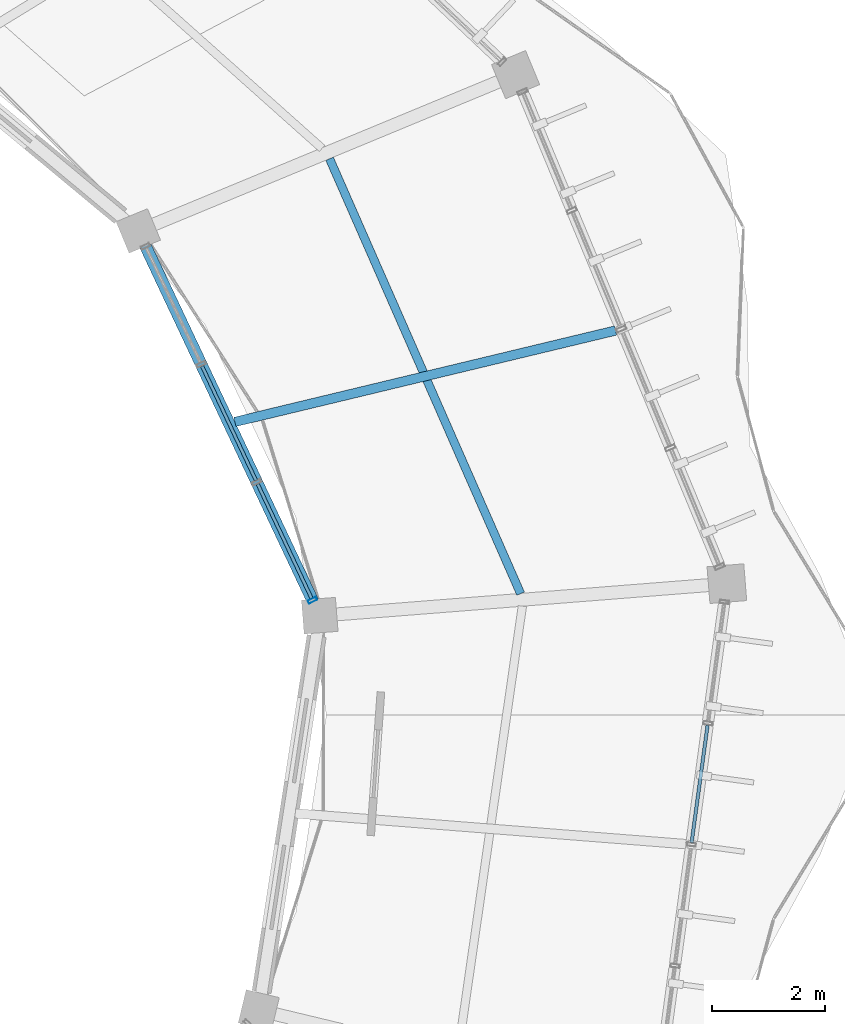
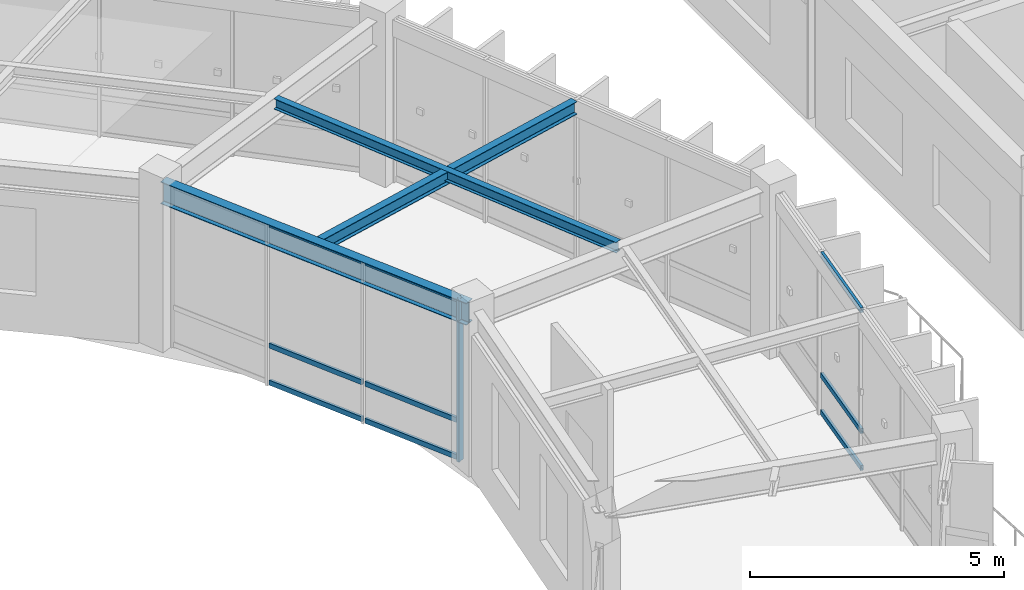
# One storey, part 77 of 114: 10 members, 3 beams, 2 elements without a shape of their own.
"""IFC4 building model written with IfcOpenShell, lengths in metres."""

from ifc_helpers import new_model, si_unit, direction, frame, origin, origin_2d, place, context, subcontext, project, spatial, hollow_rectangle, i_section, extrude, material, material_profile, profile_set, type_object, element, aggregate, save


model = new_model("IFC4")

# Units and contexts
model_context = context("Model", 3, precision=1e-05, world=origin(), true_north=direction((0.0, 1.0)))
body_context = subcontext(model_context, "Body", "Model", "MODEL_VIEW")
ifc_project = project(units=[si_unit("LENGTHUNIT", "METRE"), si_unit("AREAUNIT", "SQUARE_METRE"), si_unit("VOLUMEUNIT", "CUBIC_METRE"), si_unit("PLANEANGLEUNIT", "RADIAN"), si_unit("MASSUNIT", "GRAM", prefix="KILO"), si_unit("THERMODYNAMICTEMPERATUREUNIT", "KELVIN"), si_unit("POWERUNIT", "WATT")], contexts=[model_context])

# Site, building, storey
site_placement = place(None, origin())
site = spatial("IfcSite", under=ifc_project, at=site_placement, CompositionType="ELEMENT")
building_placement = place(site_placement, origin())
building = spatial("IfcBuilding", under=site, at=building_placement, Name="Darbajah Civic Hall", CompositionType="ELEMENT")
storey_placement = place(building_placement, frame((0.0, 0.0, 13.800048828125)))
storey = spatial("IfcBuildingStorey", under=building, at=storey_placement, Name="L03", CompositionType="ELEMENT", Elevation=13.800048828125)

# Curtain wall, members
ifc_material_1 = material(Name="Anodised Bronze Aluminium and Low-E Glazing", Category="aluminium")
curtain_wall_type_1 = type_object("IfcCurtainWallType", Name="Unitised Curtain Wall CW-55 6900x3900", PredefinedType="USERDEFINED", material=ifc_material_1)
curtain_wall_1_placement = place(storey_placement, origin())
curtain_wall_1 = element("IfcCurtainWall", 1, at=curtain_wall_1_placement, inside=storey, type_object=curtain_wall_type_1, Name="L03 unitised curtain wall CW-V1I-L03-00", ObjectType="UNITISED CURTAIN WALL", PredefinedType="USERDEFINED")
ifc_material_2 = material(Name="Anodised Bronze Aluminium", Category="aluminium")
ifc_material_profile_1 = material_profile(ifc_material_2, hollow_rectangle(XDim=0.06005859375, YDim=0.159912109375, WallThickness=0.00341796875, at=origin_2d()), Name="ALU MULLION 60x160")
ifc_profile_set_1 = profile_set([ifc_material_profile_1], Name="Anodised Bronze Aluminium")
member_type_1 = type_object("IfcMemberType", Name="ALU MULLION 60x160", PredefinedType="MULLION", material=ifc_profile_set_1)
member_1_placement = place(storey_placement, frame((132.63623046875, 91.82275390625, 0.0), z_axis=(0.0, 0.0, 1.0), x_axis=(-0.426568739901, 0.904455145454, 0.0)))
member_1 = element("IfcMember", 2, at=member_1_placement, type_object=member_type_1, Name="CW-V1I-L03-00 mullion 1", PredefinedType="MULLION", context=body_context, shape_type="SweptSolid", body=[
    extrude(hollow_rectangle(XDim=0.06005859375, YDim=0.159912109375, WallThickness=0.00341796875, at=origin_2d()), origin(), (0.0, 0.0, 1.0), 3.919921875),
])
ifc_material_profile_2 = material_profile(ifc_material_2, hollow_rectangle(XDim=0.06005859375, YDim=0.1201171875, WallThickness=0.003173828125, at=origin_2d()), Name="ALU TRANSOM 60x120")
ifc_profile_set_2 = profile_set([ifc_material_profile_2], Name="Anodised Bronze Aluminium")
member_type_2 = type_object("IfcMemberType", Name="ALU TRANSOM 60x120", PredefinedType="USERDEFINED", material=ifc_profile_set_2)
member_2_placement = place(storey_placement, frame((132.621337890625, 91.8544921875, 0.06005859375), z_axis=(-0.426545977762, 0.904465880426, 0.0), x_axis=(-0.904465880426, -0.426545977762, 0.0)))
member_2 = element("IfcMember", 3, at=member_2_placement, type_object=member_type_2, Name="CW-V1I-L03-00 transom 1.1", ObjectType="TRANSOM", PredefinedType="USERDEFINED", context=body_context, shape_type="SweptSolid", body=[
    extrude(hollow_rectangle(XDim=0.06005859375, YDim=0.1201171875, WallThickness=0.003173828125, at=origin_2d()), origin(), (0.0, 0.0, 1.0), 2.228759765625),
])
member_3_placement = place(storey_placement, frame((132.621337890625, 91.8544921875, 0.949951171875), z_axis=(-0.426545977762, 0.904465880426, 0.0), x_axis=(-0.904465880426, -0.426545977762, 0.0)))
member_3 = element("IfcMember", 4, at=member_3_placement, type_object=member_type_2, Name="CW-V1I-L03-00 transom 1.2", ObjectType="TRANSOM", PredefinedType="USERDEFINED", context=body_context, shape_type="SweptSolid", body=[
    extrude(hollow_rectangle(XDim=0.06005859375, YDim=0.1201171875, WallThickness=0.003173828125, at=origin_2d()), origin(), (0.0, 0.0, 1.0), 2.228759765625),
])
member_4_placement = place(storey_placement, frame((132.621337890625, 91.8544921875, 3.85986328125), z_axis=(-0.426545977762, 0.904465880426, 0.0), x_axis=(-0.904465880426, -0.426545977762, 0.0)))
member_4 = element("IfcMember", 5, at=member_4_placement, type_object=member_type_2, Name="CW-V1I-L03-00 transom 1.3", ObjectType="TRANSOM", PredefinedType="USERDEFINED", context=body_context, shape_type="SweptSolid", body=[
    extrude(hollow_rectangle(XDim=0.06005859375, YDim=0.1201171875, WallThickness=0.003173828125, at=origin_2d()), origin(), (0.0, 0.0, 1.0), 2.228759765625),
])
member_5_placement = place(storey_placement, frame((131.640869140625, 93.93359375, 0.06005859375), z_axis=(-0.426503721634, 0.904485807204, 0.0), x_axis=(-0.904485807204, -0.426503721634, 0.0)))
member_5 = element("IfcMember", 6, at=member_5_placement, type_object=member_type_2, Name="CW-V1I-L03-00 transom 2.1", ObjectType="TRANSOM", PredefinedType="USERDEFINED", context=body_context, shape_type="SweptSolid", body=[
    extrude(hollow_rectangle(XDim=0.06005859375, YDim=0.1201171875, WallThickness=0.003173828125, at=origin_2d()), origin(), (0.0, 0.0, 1.0), 2.22900390625),
])
member_6_placement = place(storey_placement, frame((131.640869140625, 93.93359375, 0.949951171875), z_axis=(-0.426503721634, 0.904485807204, 0.0), x_axis=(-0.904485807204, -0.426503721634, 0.0)))
member_6 = element("IfcMember", 7, at=member_6_placement, type_object=member_type_2, Name="CW-V1I-L03-00 transom 2.2", ObjectType="TRANSOM", PredefinedType="USERDEFINED", context=body_context, shape_type="SweptSolid", body=[
    extrude(hollow_rectangle(XDim=0.06005859375, YDim=0.1201171875, WallThickness=0.003173828125, at=origin_2d()), origin(), (0.0, 0.0, 1.0), 2.22900390625),
])
member_7_placement = place(storey_placement, frame((131.640869140625, 93.93359375, 3.85986328125), z_axis=(-0.426503721634, 0.904485807204, 0.0), x_axis=(-0.904485807204, -0.426503721634, 0.0)))
member_7 = element("IfcMember", 8, at=member_7_placement, type_object=member_type_2, Name="CW-V1I-L03-00 transom 2.3", ObjectType="TRANSOM", PredefinedType="USERDEFINED", context=body_context, shape_type="SweptSolid", body=[
    extrude(hollow_rectangle(XDim=0.06005859375, YDim=0.1201171875, WallThickness=0.003173828125, at=origin_2d()), origin(), (0.0, 0.0, 1.0), 2.22900390625),
])
aggregate(curtain_wall_1, [member_1, member_2, member_3, member_4, member_5, member_6, member_7])

curtain_wall_type_2 = type_object("IfcCurtainWallType", Name="Unitised Curtain Wall CW-53 8600x3900", PredefinedType="USERDEFINED", material=ifc_material_1)
curtain_wall_2_placement = place(storey_placement, origin())
curtain_wall_2 = element("IfcCurtainWall", 9, at=curtain_wall_2_placement, inside=storey, type_object=curtain_wall_type_2, Name="L03 unitised curtain wall CW-V1O-L03-19", ObjectType="UNITISED CURTAIN WALL", PredefinedType="USERDEFINED")
member_8_placement = place(storey_placement, frame((139.321533203125, 87.548583984375, 0.06005859375), z_axis=(0.134820990929, 0.990869971492, 0.0), x_axis=(-0.990869971492, 0.134820990929, 0.0)))
member_8 = element("IfcMember", 10, at=member_8_placement, type_object=member_type_2, Name="CW-V1O-L03-19 transom 3.1", ObjectType="TRANSOM", PredefinedType="USERDEFINED", context=body_context, shape_type="SweptSolid", body=[
    extrude(hollow_rectangle(XDim=0.06005859375, YDim=0.1201171875, WallThickness=0.003173828125, at=origin_2d()), origin(), (0.0, 0.0, 1.0), 2.087890625),
])
member_9_placement = place(storey_placement, frame((139.321533203125, 87.548583984375, 0.949951171875), z_axis=(0.134820990929, 0.990869971492, 0.0), x_axis=(-0.990869971492, 0.134820990929, 0.0)))
member_9 = element("IfcMember", 11, at=member_9_placement, type_object=member_type_2, Name="CW-V1O-L03-19 transom 3.2", ObjectType="TRANSOM", PredefinedType="USERDEFINED", context=body_context, shape_type="SweptSolid", body=[
    extrude(hollow_rectangle(XDim=0.06005859375, YDim=0.1201171875, WallThickness=0.003173828125, at=origin_2d()), origin(), (0.0, 0.0, 1.0), 2.087890625),
])
member_10_placement = place(storey_placement, frame((139.321533203125, 87.548583984375, 3.85986328125), z_axis=(0.134820990929, 0.990869971492, 0.0), x_axis=(-0.990869971492, 0.134820990929, 0.0)))
member_10 = element("IfcMember", 12, at=member_10_placement, type_object=member_type_2, Name="CW-V1O-L03-19 transom 3.3", ObjectType="TRANSOM", PredefinedType="USERDEFINED", context=body_context, shape_type="SweptSolid", body=[
    extrude(hollow_rectangle(XDim=0.06005859375, YDim=0.1201171875, WallThickness=0.003173828125, at=origin_2d()), origin(), (0.0, 0.0, 1.0), 2.087890625),
])
aggregate(curtain_wall_2, [member_8, member_9, member_10])

# Beams
ifc_material_3 = material(Name="Steel S355JR", Category="steel")
ifc_material_profile_3 = material_profile(ifc_material_3, i_section(OverallWidth=0.146484375, OverallDepth=0.256103515625, WebThickness=0.00634765625, FlangeThickness=0.010986328125, FilletRadius=0.007568359375, at=origin_2d()), Name="UB 254x146x37")
ifc_profile_set_3 = profile_set([ifc_material_profile_3], Name="Steel S355JR")
beam_type_1 = type_object("IfcBeamType", Name="UB 254x146x37", PredefinedType="JOIST", material=ifc_profile_set_3)
beam_1_placement = place(storey_placement, frame((136.30712890625, 91.938232421875, 3.7919921875), z_axis=(-0.402231491777, 0.915537998678, 0.0), x_axis=(-0.915537998678, -0.402231491777, 0.0)))
element("IfcBeam", 13, at=beam_1_placement, inside=storey, type_object=beam_type_1, Name="L03 beam SJ-254", PredefinedType="JOIST", context=body_context, shape_type="SweptSolid", body=[
    extrude(i_section(OverallWidth=0.146484375, OverallDepth=0.256103515625, WebThickness=0.00634765625, FlangeThickness=0.010986328125, FilletRadius=0.007568359375, at=origin_2d()), origin(), (0.0, 0.0, 1.0), 8.374267578125),
])
ifc_material_profile_4 = material_profile(ifc_material_3, i_section(OverallWidth=0.165771484375, OverallDepth=0.306640625, WebThickness=0.006591796875, FlangeThickness=0.01171875, FilletRadius=0.0087890625, at=origin_2d()), Name="UB 305x165x46")
ifc_profile_set_4 = profile_set([ifc_material_profile_4], Name="Steel S355JR")
beam_type_2 = type_object("IfcBeamType", Name="UB 305x165x46", PredefinedType="JOIST", material=ifc_profile_set_4)
beam_2_placement = place(storey_placement, frame((131.2685546875, 94.96630859375, 3.7666015625), z_axis=(0.972369643286, 0.233446518106, 0.0), x_axis=(-0.233446518106, 0.972369643286, 0.0)))
element("IfcBeam", 14, at=beam_2_placement, inside=storey, type_object=beam_type_2, Name="L03 beam SJ-305", PredefinedType="JOIST", context=body_context, shape_type="SweptSolid", body=[
    extrude(i_section(OverallWidth=0.165771484375, OverallDepth=0.306640625, WebThickness=0.006591796875, FlangeThickness=0.01171875, FilletRadius=0.0087890625, at=origin_2d()), origin(), (0.0, 0.0, 1.0), 6.9033203125),
])
ifc_material_profile_5 = material_profile(ifc_material_3, i_section(OverallWidth=0.209228515625, OverallDepth=0.533203125, WebThickness=0.010009765625, FlangeThickness=0.015625, FilletRadius=0.0126953125, at=origin_2d()), Name="UB 533x210x92")
ifc_profile_set_5 = profile_set([ifc_material_profile_5], Name="Steel S355JR")
beam_type_3 = type_object("IfcBeamType", Name="UB 533x210x92", PredefinedType="BEAM", material=ifc_profile_set_5)
beam_3_placement = place(storey_placement, frame((132.73095703125, 91.6220703125, 3.653564453125), z_axis=(-0.426514469485, 0.904480739054, 0.0), x_axis=(-0.904480739054, -0.426514469485, 0.0)))
element("IfcBeam", 15, at=beam_3_placement, inside=storey, type_object=beam_type_3, Name="L03 beam SB-533", PredefinedType="BEAM", context=body_context, shape_type="SweptSolid", body=[
    extrude(i_section(OverallWidth=0.209228515625, OverallDepth=0.533203125, WebThickness=0.010009765625, FlangeThickness=0.015625, FilletRadius=0.0126953125, at=origin_2d()), origin(), (0.0, 0.0, 1.0), 7.340576171875),
])

save(model, "model.ifc")
